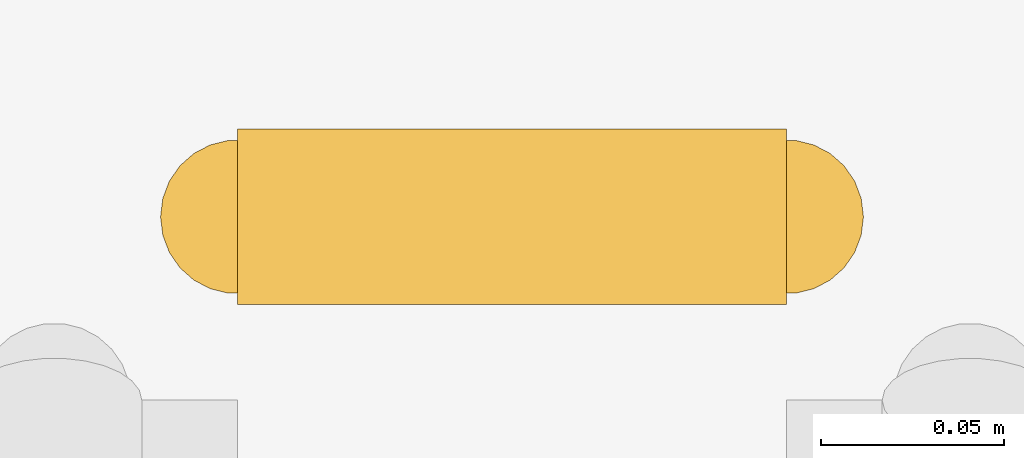
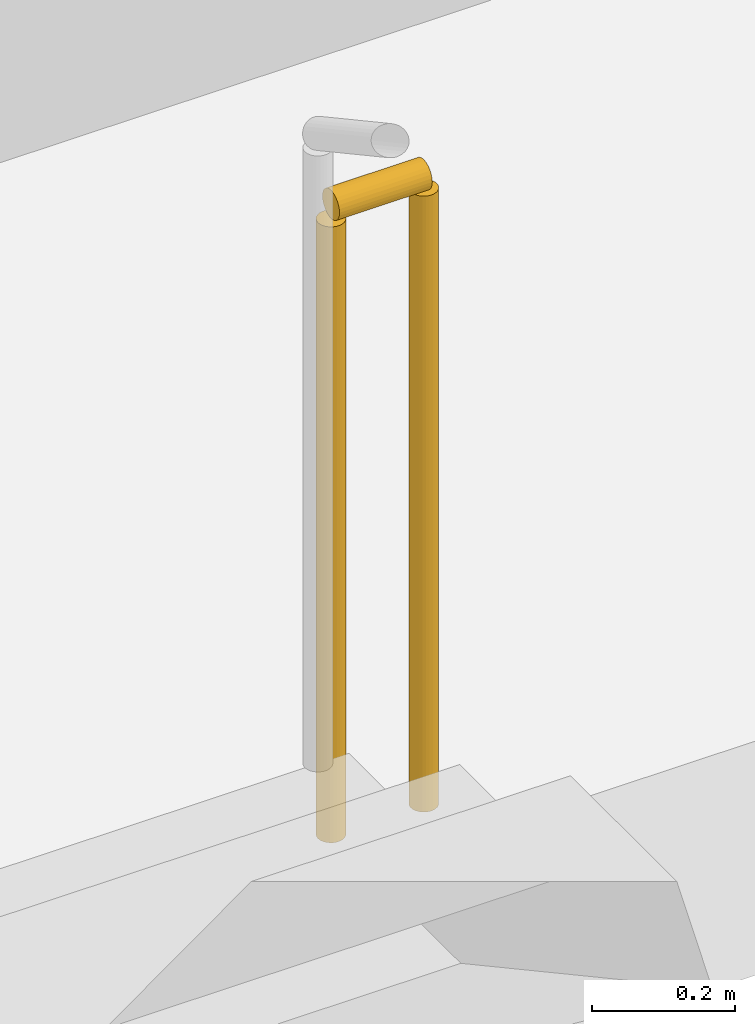
# One storey, part 30 of 30: 1 railing.
"""IFC4 building model written with IfcOpenShell, lengths in metres."""

from ifc_helpers import new_model, si_unit, direction, frame, origin, origin_2d, place, context, subcontext, project, spatial, circle, extrude, material, type_object, element, save


model = new_model("IFC4")

# Units and contexts
model_context = context("Model", 3, precision=1e-05, world=origin(), true_north=direction((0.0, 1.0)))
body_context = subcontext(model_context, "Body", "Model", "MODEL_VIEW")
ifc_project = project(units=[si_unit("LENGTHUNIT", "METRE"), si_unit("AREAUNIT", "SQUARE_METRE"), si_unit("VOLUMEUNIT", "CUBIC_METRE"), si_unit("PLANEANGLEUNIT", "RADIAN"), si_unit("MASSUNIT", "GRAM", prefix="KILO")], contexts=[model_context])

# Site, building, storey
site_placement = place(None, origin())
site = spatial("IfcSite", under=ifc_project, at=site_placement, CompositionType="ELEMENT")
building_placement = place(site_placement, origin())
building = spatial("IfcBuilding", under=site, at=building_placement, Name="Madar Terraces", CompositionType="ELEMENT")
storey_placement = place(building_placement, frame((0.0, 0.0, 53.89990234375)))
storey = spatial("IfcBuildingStorey", under=building, at=storey_placement, Name="L13", CompositionType="ELEMENT", Elevation=53.89990234375)

# Railing
ifc_material = material(Name="Stainless steel railing", Category="steel")
railing_type = type_object("IfcRailingType", Name="Stair guard 1100", PredefinedType="GUARDRAIL", material=ifc_material)
railing_placement = place(storey_placement, frame((41.25, 35.25, 0.0)))
element("IfcRailing", 1, at=railing_placement, inside=storey, type_object=railing_type, Name="L13 ST2 stair guard 4", PredefinedType="GUARDRAIL", context=body_context, shape_type="SweptSolid", body=[
    extrude(circle(Radius=0.02392578125, at=origin_2d()), frame((0.0, 0.0, 1.076171875), z_axis=(1.0, 0.0, 0.0), x_axis=(0.0, 1.0, 0.0)), (0.0, 0.0, 1.0), 0.14990234375),
    extrude(circle(Radius=0.02099609375, at=origin_2d()), origin(), (0.0, 0.0, 1.0), 1.052001953125),
    extrude(circle(Radius=0.02099609375, at=origin_2d()), frame((0.14990234375, 0.0, 0.0)), (0.0, 0.0, 1.0), 1.052001953125),
])

save(model, "model.ifc")
